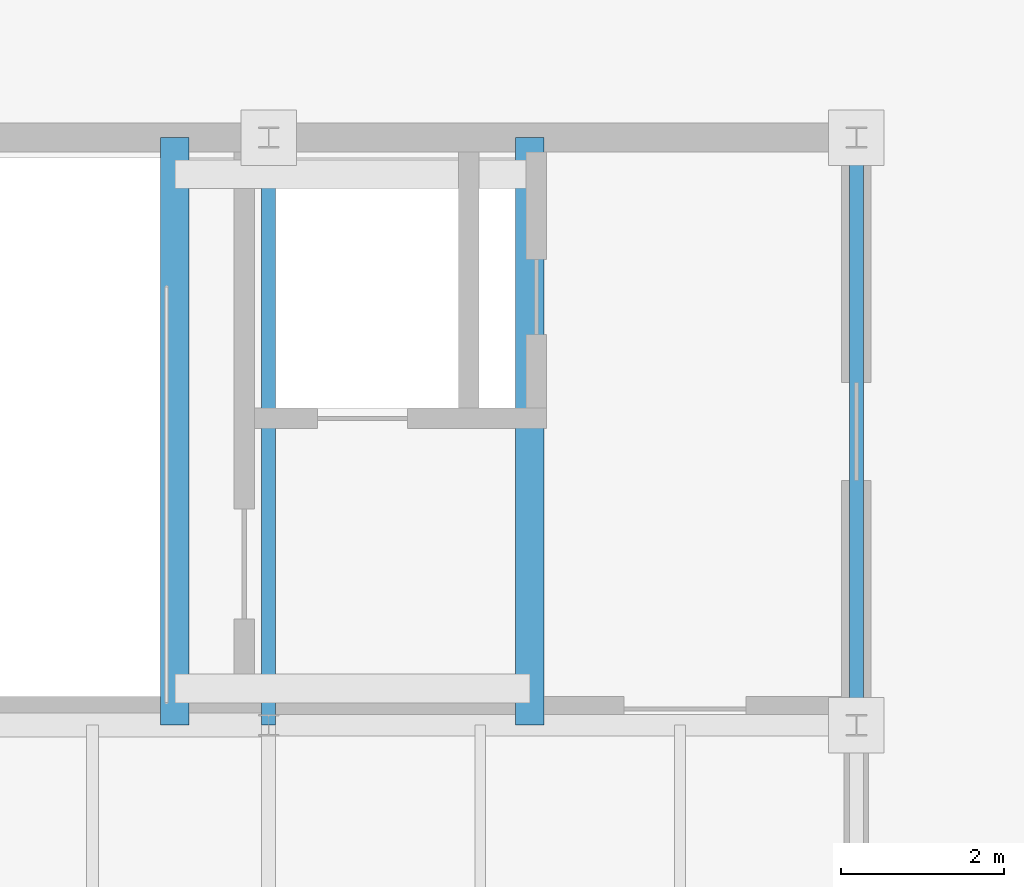
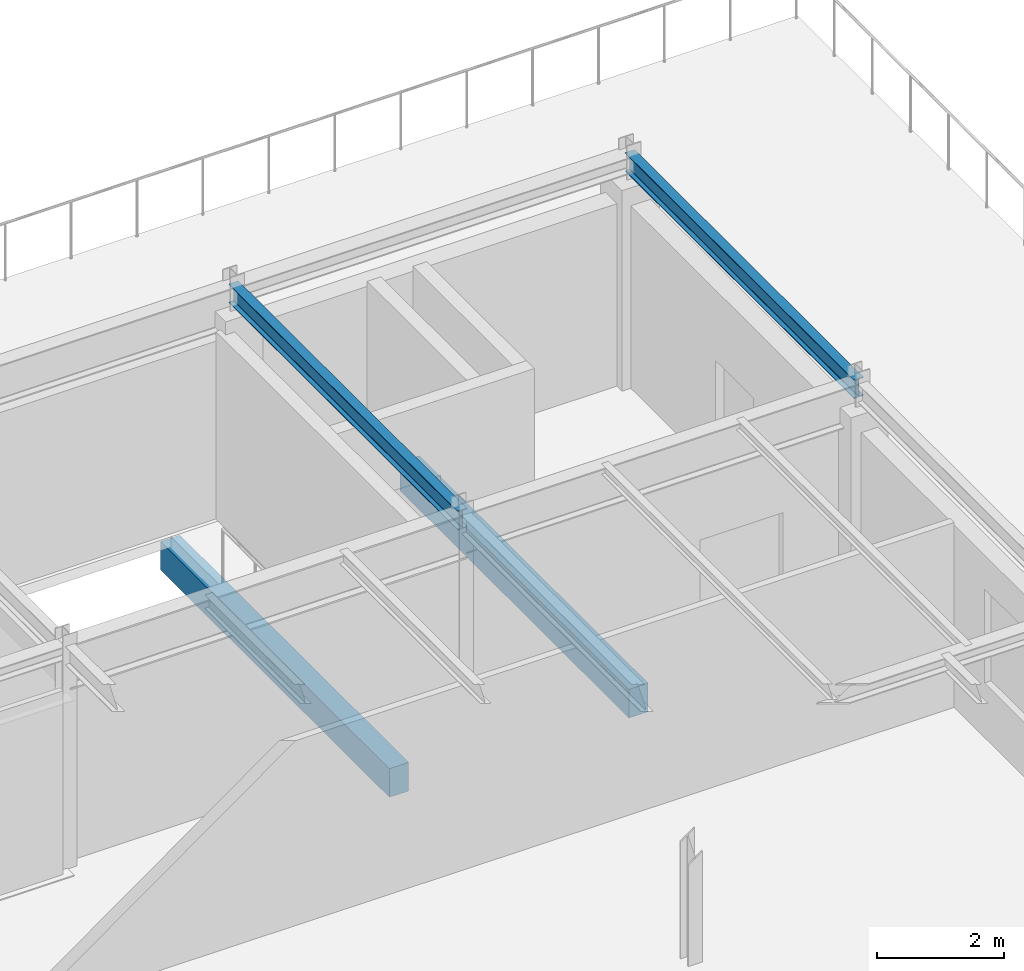
# One storey, part 25 of 36: 4 beams.
"""IFC4 building model written with IfcOpenShell, lengths in metres."""

from ifc_helpers import new_model, si_unit, direction, frame, origin, origin_2d, place, context, subcontext, project, spatial, rectangle, i_section, extrude, material, material_profile, profile_set, type_object, element, save


model = new_model("IFC4")

# Units and contexts
model_context = context("Model", 3, precision=1e-05, world=origin(), true_north=direction((0.0, 1.0)))
body_context = subcontext(model_context, "Body", "Model", "MODEL_VIEW")
ifc_project = project(units=[si_unit("LENGTHUNIT", "METRE"), si_unit("AREAUNIT", "SQUARE_METRE"), si_unit("VOLUMEUNIT", "CUBIC_METRE"), si_unit("PLANEANGLEUNIT", "RADIAN"), si_unit("MASSUNIT", "GRAM", prefix="KILO")], contexts=[model_context])

# Site, building, storey
site_placement = place(None, origin())
site = spatial("IfcSite", under=ifc_project, at=site_placement, CompositionType="ELEMENT")
building_placement = place(site_placement, origin())
building = spatial("IfcBuilding", under=site, at=building_placement, Name="Kemerveld Promenade Tramway Depot", CompositionType="ELEMENT")
storey_placement = place(building_placement, frame((0.0, 0.0, 14.39990234375)))
storey = spatial("IfcBuildingStorey", under=building, at=storey_placement, Name="L03", CompositionType="ELEMENT", Elevation=14.39990234375)

# Beams
ifc_material_1 = material(Name="Steel S355", Category="steel")
ifc_material_profile_1 = material_profile(ifc_material_1, i_section(OverallWidth=0.172119140625, OverallDepth=0.35791015625, WebThickness=0.008056640625, FlangeThickness=0.012939453125, FilletRadius=0.01025390625, at=origin_2d()), Name="356x171x57 UB")
ifc_profile_set_1 = profile_set([ifc_material_profile_1], Name="Steel S355")
beam_type_1 = type_object("IfcBeamType", Name="BM-G08", PredefinedType="BEAM", material=ifc_profile_set_1)
for number, where, z_axis, x_axis, name in (
    (1, (36.0, 57.60009765625, 4.106201171875), (0.0, 1.0, 0.0), (-1.0, 0.0, 0.0), "BMY-L03-06-J-K"),
    (2, (43.199951171875, 57.60009765625, 4.106201171875), (0.0, 1.0, 0.0), (-1.0, 0.0, 0.0), "BMY-L03-07-J-K"),
):
    element("IfcBeam", number, at=place(storey_placement, frame(where, z_axis=z_axis, x_axis=x_axis)), inside=storey, type_object=beam_type_1, Name=name, PredefinedType="BEAM", context=body_context, shape_type="SweptSolid", body=[
        extrude(i_section(OverallWidth=0.172119140625, OverallDepth=0.35791015625, WebThickness=0.008056640625, FlangeThickness=0.012939453125, FilletRadius=0.01025390625, at=origin_2d()), origin(), (0.0, 0.0, 1.0), 7.199951171875),
    ])
ifc_material_2 = material(Name="Concrete C40/50", Category="concrete")
ifc_material_profile_2 = material_profile(ifc_material_2, rectangle(XDim=0.35009765625, YDim=0.550048828125, at=origin_2d()), Name="RC-BM-350x550")
ifc_profile_set_2 = profile_set([ifc_material_profile_2], Name="Concrete C40/50")
beam_type_2 = type_object("IfcBeamType", Name="BM-RC3", PredefinedType="BEAM", material=ifc_profile_set_2)
for number, where, z_axis, x_axis, name in (
    (3, (34.85009765625, 57.60009765625, -0.5), (0.0, 1.0, 0.0), (-1.0, 0.0, 0.0), "BM-CORE-C3-L03-W"),
    (4, (39.199951171875, 57.60009765625, -0.5), (0.0, 1.0, 0.0), (-1.0, 0.0, 0.0), "BM-CORE-C3-L03-E"),
):
    element("IfcBeam", number, at=place(storey_placement, frame(where, z_axis=z_axis, x_axis=x_axis)), inside=storey, type_object=beam_type_2, Name=name, PredefinedType="BEAM", context=body_context, shape_type="SweptSolid", body=[
        extrude(rectangle(XDim=0.35009765625, YDim=0.550048828125, at=origin_2d()), origin(), (0.0, 0.0, 1.0), 7.199951171875),
    ])

save(model, "model.ifc")
